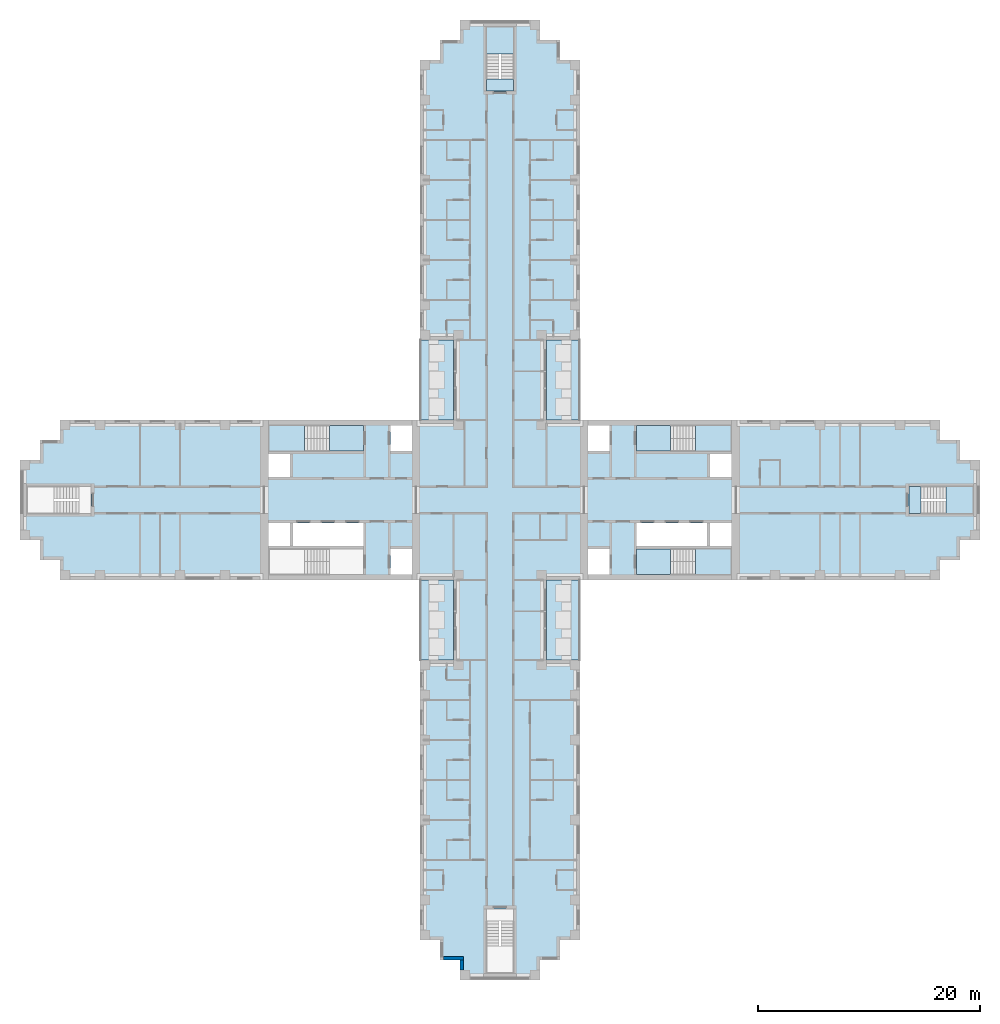
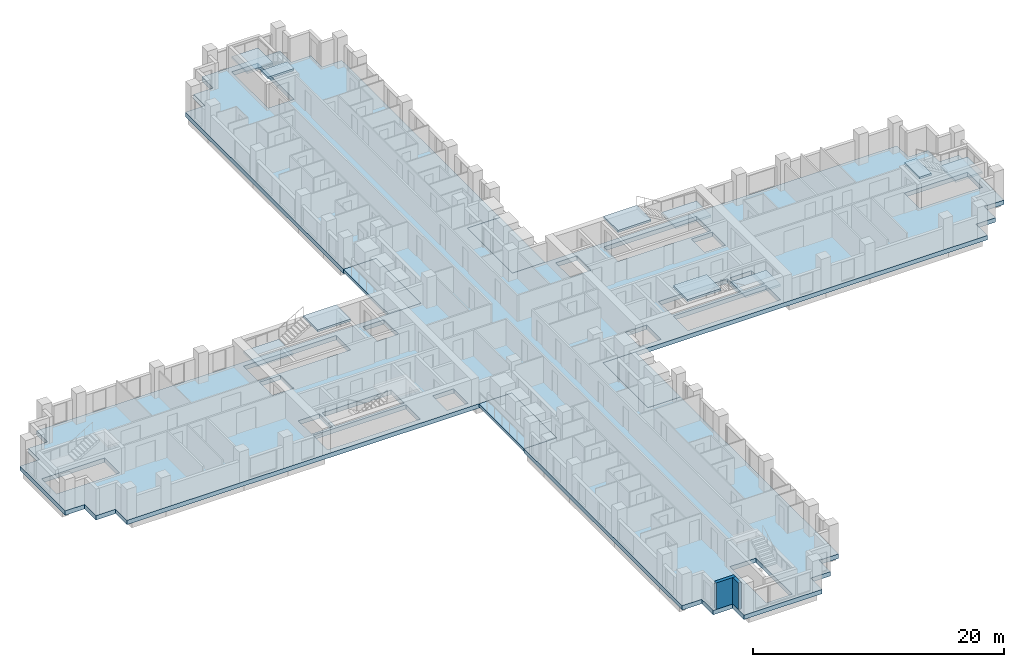
# One storey, part 2 of 15: 15 slabs, 2 walls, 5 elements without a shape of their own.
"""IFC4 building model written with IfcOpenShell, lengths in metres."""

from ifc_helpers import new_model, si_unit, direction, frame, frame_2d, origin, place, context, subcontext, project, spatial, polyline, rectangle, outline, extrude, material, layer, layer_set, type_object, element, aggregate, save


model = new_model("IFC4")

# Units and contexts
model_context = context("Model", 3, precision=1e-05, world=origin(), true_north=direction((0.0, 1.0)))
body_context = subcontext(model_context, "Body", "Model", "MODEL_VIEW")
ifc_project = project(units=[si_unit("LENGTHUNIT", "METRE"), si_unit("AREAUNIT", "SQUARE_METRE"), si_unit("VOLUMEUNIT", "CUBIC_METRE"), si_unit("PLANEANGLEUNIT", "RADIAN"), si_unit("MASSUNIT", "GRAM", prefix="KILO")], contexts=[model_context])

# Site, building, storey
site_placement = place(None, origin())
site = spatial("IfcSite", under=ifc_project, at=site_placement, CompositionType="ELEMENT")
building_placement = place(site_placement, origin())
building = spatial("IfcBuilding", under=site, at=building_placement, Name="Fustian Cross Tower", CompositionType="ELEMENT")
storey_placement = place(building_placement, frame((0.0, 0.0, 17.699951171875)))
storey = spatial("IfcBuildingStorey", under=building, at=storey_placement, Name="L04", CompositionType="ELEMENT", Elevation=17.699951171875)

# Slabs
ifc_material_1 = material(Name="Concrete C40/50", Category="concrete")
ifc_layer_1 = layer(ifc_material_1, 0.300048828125)
ifc_layer_set_1 = layer_set([ifc_layer_1], Name="Concrete C40/50")
slab_type_1 = type_object("IfcSlabType", Name="BS1 BALCONY SLAB 300", PredefinedType="FLOOR", material=ifc_layer_set_1)
slab_1_placement = place(storey_placement, frame((0.0, 0.0, -0.300048828125)))
element("IfcSlab", 1, at=slab_1_placement, inside=storey, type_object=slab_type_1, Name="Balcony slab", PredefinedType="FLOOR", context=body_context, shape_type="SweptSolid", body=[
    extrude(outline(polyline([(4.199951171875, 7.199951171875), (7.199951171875, 7.199951171875), (7.199951171875, 14.39990234375), (4.199951171875, 14.39990234375), (4.199951171875, 7.199951171875)])), origin(), (0.0, 0.0, 1.0), 0.300048828125),
])
slab_2_placement = place(storey_placement, frame((0.0, 0.0, -0.300048828125)))
element("IfcSlab", 2, at=slab_2_placement, inside=storey, type_object=slab_type_1, Name="Balcony slab", PredefinedType="FLOOR", context=body_context, shape_type="SweptSolid", body=[
    extrude(outline(polyline([(-7.199951171875, 7.199951171875), (-4.199951171875, 7.199951171875), (-4.199951171875, 14.39990234375), (-7.199951171875, 14.39990234375), (-7.199951171875, 7.199951171875)])), origin(), (0.0, 0.0, 1.0), 0.300048828125),
])
slab_3_placement = place(storey_placement, frame((0.0, 0.0, -0.300048828125)))
element("IfcSlab", 3, at=slab_3_placement, inside=storey, type_object=slab_type_1, Name="Balcony slab", PredefinedType="FLOOR", context=body_context, shape_type="SweptSolid", body=[
    extrude(outline(polyline([(4.199951171875, -14.39990234375), (7.199951171875, -14.39990234375), (7.199951171875, -7.199951171875), (4.199951171875, -7.199951171875), (4.199951171875, -14.39990234375)])), origin(), (0.0, 0.0, 1.0), 0.300048828125),
])
slab_4_placement = place(storey_placement, frame((0.0, 0.0, -0.300048828125)))
element("IfcSlab", 4, at=slab_4_placement, inside=storey, type_object=slab_type_1, Name="Balcony slab", PredefinedType="FLOOR", context=body_context, shape_type="SweptSolid", body=[
    extrude(outline(polyline([(-7.199951171875, -14.39990234375), (-4.199951171875, -14.39990234375), (-4.199951171875, -7.199951171875), (-7.199951171875, -7.199951171875), (-7.199951171875, -14.39990234375)])), origin(), (0.0, 0.0, 1.0), 0.300048828125),
])
ifc_material_2 = material(Name="Concrete C40/50", Category="concrete")
ifc_layer_2 = layer(ifc_material_2, 0.425048828125)
ifc_layer_set_2 = layer_set([ifc_layer_2], Name="Concrete C40/50")
slab_type_2 = type_object("IfcSlabType", Name="FLAT SLAB 425", PredefinedType="FLOOR", material=ifc_layer_set_2)
slab_5_placement = place(storey_placement, frame((0.0, 0.0, -0.425048828125)))
element("IfcSlab", 5, at=slab_5_placement, inside=storey, type_object=slab_type_2, Name="FLOOR SLAB L04-1", PredefinedType="FLOOR", context=body_context, shape_type="SweptSolid", body=[
    extrude(outline(polyline([(-4.199951171875, -7.199951171875), (-39.60009765625, -7.199951171875), (-39.60009765625, -5.39990234375), (-41.39990234375, -5.39990234375), (-41.39990234375, -3.60009765625), (-43.199951171875, -3.60009765625), (-43.199951171875, 3.60009765625), (-41.39990234375, 3.60009765625), (-41.39990234375, 5.39990234375), (-39.60009765625, 5.39990234375), (-39.60009765625, 7.199951171875), (-4.199951171875, 7.199951171875), (-4.199951171875, 14.39990234375), (-7.199951171875, 14.39990234375), (-7.199951171875, 39.60009765625), (-5.39990234375, 39.60009765625), (-5.39990234375, 41.39990234375), (-3.60009765625, 41.39990234375), (-3.60009765625, 43.199951171875), (3.60009765625, 43.199951171875), (3.60009765625, 41.39990234375), (5.39990234375, 41.39990234375), (5.39990234375, 39.60009765625), (7.199951171875, 39.60009765625), (7.199951171875, 14.39990234375), (4.199951171875, 14.39990234375), (4.199951171875, 7.199951171875), (39.60009765625, 7.199951171875), (39.60009765625, 5.39990234375), (41.39990234375, 5.39990234375), (41.39990234375, 3.60009765625), (43.199951171875, 3.60009765625), (43.199951171875, -3.60009765625), (41.39990234375, -3.60009765625), (41.39990234375, -5.39990234375), (39.60009765625, -5.39990234375), (39.60009765625, -7.199951171875), (4.199951171875, -7.199951171875), (4.199951171875, -14.39990234375), (7.199951171875, -14.39990234375), (7.199951171875, -39.60009765625), (5.39990234375, -39.60009765625), (5.39990234375, -41.39990234375), (3.60009765625, -41.39990234375), (3.60009765625, -43.199951171875), (-3.60009765625, -43.199951171875), (-3.60009765625, -41.39990234375), (-5.39990234375, -41.39990234375), (-5.39990234375, -39.60009765625), (-7.199951171875, -39.60009765625), (-7.199951171875, -14.39990234375), (-4.199951171875, -14.39990234375), (-4.199951171875, -7.199951171875)]), holes=[polyline([(18.89990234375, -2.050048828125), (18.89990234375, -4.14990234375), (20.85009765625, -4.14990234375), (20.85009765625, -2.050048828125), (18.89990234375, -2.050048828125)]), polyline([(20.85009765625, 4.14990234375), (18.89990234375, 4.14990234375), (18.89990234375, 2.050048828125), (20.85009765625, 2.050048828125), (20.85009765625, 4.14990234375)]), polyline([(9.85009765625, 4.39990234375), (9.85009765625, 6.699951171875), (7.89990234375, 6.699951171875), (7.89990234375, 4.39990234375), (9.85009765625, 4.39990234375)]), polyline([(7.89990234375, -6.699951171875), (9.85009765625, -6.699951171875), (9.85009765625, -4.39990234375), (7.89990234375, -4.39990234375), (7.89990234375, -6.699951171875)]), polyline([(-20.85009765625, -2.050048828125), (-20.85009765625, -4.14990234375), (-18.89990234375, -4.14990234375), (-18.89990234375, -2.050048828125), (-20.85009765625, -2.050048828125)]), polyline([(-18.89990234375, 4.14990234375), (-20.85009765625, 4.14990234375), (-20.85009765625, 2.050048828125), (-18.89990234375, 2.050048828125), (-18.89990234375, 4.14990234375)]), polyline([(-7.89990234375, 4.39990234375), (-7.89990234375, 6.699951171875), (-9.85009765625, 6.699951171875), (-9.85009765625, 4.39990234375), (-7.89990234375, 4.39990234375)]), polyline([(-9.85009765625, -6.699951171875), (-7.89990234375, -6.699951171875), (-7.89990234375, -4.39990234375), (-9.85009765625, -4.39990234375), (-9.85009765625, -6.699951171875)]), polyline([(12.300048828125, -2.050048828125), (12.300048828125, -4.14990234375), (18.64990234375, -4.14990234375), (18.64990234375, -2.050048828125), (12.300048828125, -2.050048828125)]), polyline([(-12.300048828125, -2.050048828125), (-18.64990234375, -2.050048828125), (-18.64990234375, -4.14990234375), (-12.300048828125, -4.14990234375), (-12.300048828125, -2.050048828125)]), polyline([(20.85009765625, 4.39990234375), (20.85009765625, 6.699951171875), (12.300048828125, 6.699951171875), (12.300048828125, 4.39990234375), (20.85009765625, 4.39990234375)]), polyline([(12.300048828125, -6.699951171875), (20.85009765625, -6.699951171875), (20.85009765625, -4.39990234375), (12.300048828125, -4.39990234375), (12.300048828125, -6.699951171875)]), polyline([(-20.85009765625, 6.699951171875), (-20.85009765625, 4.39990234375), (-12.300048828125, 4.39990234375), (-12.300048828125, 6.699951171875), (-20.85009765625, 6.699951171875)]), polyline([(-12.300048828125, -4.39990234375), (-20.85009765625, -4.39990234375), (-20.85009765625, -6.699951171875), (-12.300048828125, -6.699951171875), (-12.300048828125, -4.39990234375)]), polyline([(1.199951171875, 36.800048828125), (1.199951171875, 42.60009765625), (-1.199951171875, 42.60009765625), (-1.199951171875, 36.800048828125), (1.199951171875, 36.800048828125)]), polyline([(-1.199951171875, -42.60009765625), (1.199951171875, -42.60009765625), (1.199951171875, -36.800048828125), (-1.199951171875, -36.800048828125), (-1.199951171875, -42.60009765625)]), polyline([(36.800048828125, 1.199951171875), (36.800048828125, -1.199951171875), (42.60009765625, -1.199951171875), (42.60009765625, 1.199951171875), (36.800048828125, 1.199951171875)]), polyline([(-36.800048828125, 1.199951171875), (-42.60009765625, 1.199951171875), (-42.60009765625, -1.199951171875), (-36.800048828125, -1.199951171875), (-36.800048828125, 1.199951171875)])]), origin(), (0.0, 0.0, 1.0), 0.425048828125),
])

# Stair, slabs
ifc_material_3 = material(Name="Concrete C50/60", Category="concrete")
stair_type_1 = type_object("IfcStairType", Name="STAIR 1150 HALF TURN", PredefinedType="HALF_TURN_STAIR", material=ifc_material_3)
stair_1_placement = place(storey_placement, origin())
stair_1 = element("IfcStair", 6, at=stair_1_placement, inside=storey, type_object=stair_type_1, Name="Stair ST1", PredefinedType="HALF_TURN_STAIR")
ifc_material_4 = material(Name="Concrete C50/60", Category="concrete")
ifc_layer_3 = layer(ifc_material_4, 0.199951171875)
ifc_layer_set_3 = layer_set([ifc_layer_3], Name="Concrete C50/60")
slab_type_3 = type_object("IfcSlabType", Name="STAIR LANDING", PredefinedType="LANDING", material=ifc_layer_set_3)
slab_6_placement = place(storey_placement, frame((0.0, 0.0, 1.300048828125)))
slab_6 = element("IfcSlab", 7, at=slab_6_placement, type_object=slab_type_3, Name="ST1 landing 1", PredefinedType="LANDING", context=body_context, shape_type="SweptSolid", body=[
    extrude(outline(polyline([(17.590087890625, 4.39990234375), (20.85009765625, 4.39990234375), (20.85009765625, 6.699951171875), (17.590087890625, 6.699951171875), (17.590087890625, 4.39990234375)])), origin(), (0.0, 0.0, 1.0), 0.199951171875),
])
slab_7_placement = place(storey_placement, frame((0.0, 0.0, 2.800048828125)))
slab_7 = element("IfcSlab", 8, at=slab_7_placement, type_object=slab_type_3, Name="ST1 landing 2", PredefinedType="LANDING", context=body_context, shape_type="SweptSolid", body=[
    extrude(outline(polyline([(12.300048828125, 4.39990234375), (15.35009765625, 4.39990234375), (15.35009765625, 6.699951171875), (12.300048828125, 6.699951171875), (12.300048828125, 4.39990234375)])), origin(), (0.0, 0.0, 1.0), 0.199951171875),
])
aggregate(stair_1, [slab_6, slab_7])

stair_2_placement = place(storey_placement, origin())
stair_2 = element("IfcStair", 9, at=stair_2_placement, inside=storey, type_object=stair_type_1, Name="Stair ST2", PredefinedType="HALF_TURN_STAIR")
slab_8_placement = place(storey_placement, frame((0.0, 0.0, 1.300048828125)))
slab_8 = element("IfcSlab", 10, at=slab_8_placement, type_object=slab_type_3, Name="ST2 landing 1", PredefinedType="LANDING", context=body_context, shape_type="SweptSolid", body=[
    extrude(outline(polyline([(17.590087890625, -4.39990234375), (20.85009765625, -4.39990234375), (20.85009765625, -6.699951171875), (17.590087890625, -6.699951171875), (17.590087890625, -4.39990234375)])), origin(), (0.0, 0.0, 1.0), 0.199951171875),
])
slab_9_placement = place(storey_placement, frame((0.0, 0.0, 2.800048828125)))
slab_9 = element("IfcSlab", 11, at=slab_9_placement, type_object=slab_type_3, Name="ST2 landing 2", PredefinedType="LANDING", context=body_context, shape_type="SweptSolid", body=[
    extrude(outline(polyline([(12.300048828125, -4.39990234375), (15.35009765625, -4.39990234375), (15.35009765625, -6.699951171875), (12.300048828125, -6.699951171875), (12.300048828125, -4.39990234375)])), origin(), (0.0, 0.0, 1.0), 0.199951171875),
])
aggregate(stair_2, [slab_8, slab_9])

stair_3_placement = place(storey_placement, origin())
stair_3 = element("IfcStair", 12, at=stair_3_placement, inside=storey, type_object=stair_type_1, Name="Stair ST3", PredefinedType="HALF_TURN_STAIR")
slab_10_placement = place(storey_placement, frame((0.0, 0.0, 1.300048828125)))
slab_10 = element("IfcSlab", 13, at=slab_10_placement, type_object=slab_type_3, Name="ST3 landing 1", PredefinedType="LANDING", context=body_context, shape_type="SweptSolid", body=[
    extrude(outline(polyline([(-17.590087890625, 4.39990234375), (-20.85009765625, 4.39990234375), (-20.85009765625, 6.699951171875), (-17.590087890625, 6.699951171875), (-17.590087890625, 4.39990234375)])), origin(), (0.0, 0.0, 1.0), 0.199951171875),
])
slab_11_placement = place(storey_placement, frame((0.0, 0.0, 2.800048828125)))
slab_11 = element("IfcSlab", 14, at=slab_11_placement, type_object=slab_type_3, Name="ST3 landing 2", PredefinedType="LANDING", context=body_context, shape_type="SweptSolid", body=[
    extrude(outline(polyline([(-12.300048828125, 4.39990234375), (-15.35009765625, 4.39990234375), (-15.35009765625, 6.699951171875), (-12.300048828125, 6.699951171875), (-12.300048828125, 4.39990234375)])), origin(), (0.0, 0.0, 1.0), 0.199951171875),
])
aggregate(stair_3, [slab_10, slab_11])

ifc_material_5 = material(Name="Concrete C50/60", Category="concrete")
stair_type_2 = type_object("IfcStairType", Name="STAIR 1100 HALF TURN", PredefinedType="HALF_TURN_STAIR", material=ifc_material_5)
stair_4_placement = place(storey_placement, origin())
stair_4 = element("IfcStair", 15, at=stair_4_placement, inside=storey, type_object=stair_type_2, Name="Stair ST5", PredefinedType="HALF_TURN_STAIR")
slab_12_placement = place(storey_placement, frame((0.0, 0.0, 1.300048828125)))
slab_12 = element("IfcSlab", 16, at=slab_12_placement, type_object=slab_type_3, Name="ST5 landing 1", PredefinedType="LANDING", context=body_context, shape_type="SweptSolid", body=[
    extrude(outline(polyline([(-1.199951171875, 40.139892578125), (-1.199951171875, 42.60009765625), (1.199951171875, 42.60009765625), (1.199951171875, 40.139892578125), (-1.199951171875, 40.139892578125)])), origin(), (0.0, 0.0, 1.0), 0.199951171875),
])
slab_13_placement = place(storey_placement, frame((0.0, 0.0, 2.800048828125)))
slab_13 = element("IfcSlab", 17, at=slab_13_placement, type_object=slab_type_3, Name="ST5 landing 2", PredefinedType="LANDING", context=body_context, shape_type="SweptSolid", body=[
    extrude(outline(polyline([(-1.199951171875, 36.800048828125), (-1.199951171875, 37.89990234375), (1.199951171875, 37.89990234375), (1.199951171875, 36.800048828125), (-1.199951171875, 36.800048828125)])), origin(), (0.0, 0.0, 1.0), 0.199951171875),
])
aggregate(stair_4, [slab_12, slab_13])

stair_5_placement = place(storey_placement, origin())
stair_5 = element("IfcStair", 18, at=stair_5_placement, inside=storey, type_object=stair_type_2, Name="Stair ST8", PredefinedType="HALF_TURN_STAIR")
slab_14_placement = place(storey_placement, frame((0.0, 0.0, 1.300048828125)))
slab_14 = element("IfcSlab", 19, at=slab_14_placement, type_object=slab_type_3, Name="ST8 landing 1", PredefinedType="LANDING", context=body_context, shape_type="SweptSolid", body=[
    extrude(outline(polyline([(40.139892578125, -1.199951171875), (42.60009765625, -1.199951171875), (42.60009765625, 1.199951171875), (40.139892578125, 1.199951171875), (40.139892578125, -1.199951171875)])), origin(), (0.0, 0.0, 1.0), 0.199951171875),
])
slab_15_placement = place(storey_placement, frame((0.0, 0.0, 2.800048828125)))
slab_15 = element("IfcSlab", 20, at=slab_15_placement, type_object=slab_type_3, Name="ST8 landing 2", PredefinedType="LANDING", context=body_context, shape_type="SweptSolid", body=[
    extrude(outline(polyline([(36.800048828125, -1.199951171875), (37.89990234375, -1.199951171875), (37.89990234375, 1.199951171875), (36.800048828125, 1.199951171875), (36.800048828125, -1.199951171875)])), origin(), (0.0, 0.0, 1.0), 0.199951171875),
])
aggregate(stair_5, [slab_14, slab_15])

# Walls
ifc_material_6 = material(Name="Dark aluminium cladding on insulated backing wall", Category="aluminium")
ifc_layer_4 = layer(ifc_material_6, 0.300048828125)
ifc_layer_set_4 = layer_set([ifc_layer_4], Name="Dark aluminium cladding on insulated backing wall")
wall_type = type_object("IfcWallType", Name="XW1 EXTERNAL WALL 300", PredefinedType="SOLIDWALL", material=ifc_layer_set_4)
wall_1_placement = place(storey_placement, frame((-5.10009765625, -41.25, 0.0), z_axis=(0.0, 0.0, 1.0), x_axis=(1.0, 0.0, 0.0)))
element("IfcWall", 21, at=wall_1_placement, inside=storey, type_object=wall_type, Name="External wall", PredefinedType="SOLIDWALL", context=body_context, shape_type="SweptSolid", body=[
    extrude(rectangle(XDim=1.800048828125, YDim=0.300048828125, at=frame_2d((0.89990234375, 0.0))), origin(), (0.0, 0.0, 1.0), 2.574951171875),
])
wall_2_placement = place(storey_placement, frame((-3.449951171875, -41.39990234375, 0.0), z_axis=(0.0, 0.0, 1.0), x_axis=(0.0, -1.0, 0.0)))
element("IfcWall", 22, at=wall_2_placement, inside=storey, type_object=wall_type, Name="External wall", PredefinedType="SOLIDWALL", context=body_context, shape_type="SweptSolid", body=[
    extrude(rectangle(XDim=0.900146484375, YDim=0.300048828125, at=frame_2d((0.4501953125, 0.0))), origin(), (0.0, 0.0, 1.0), 2.574951171875),
])

save(model, "model.ifc")
